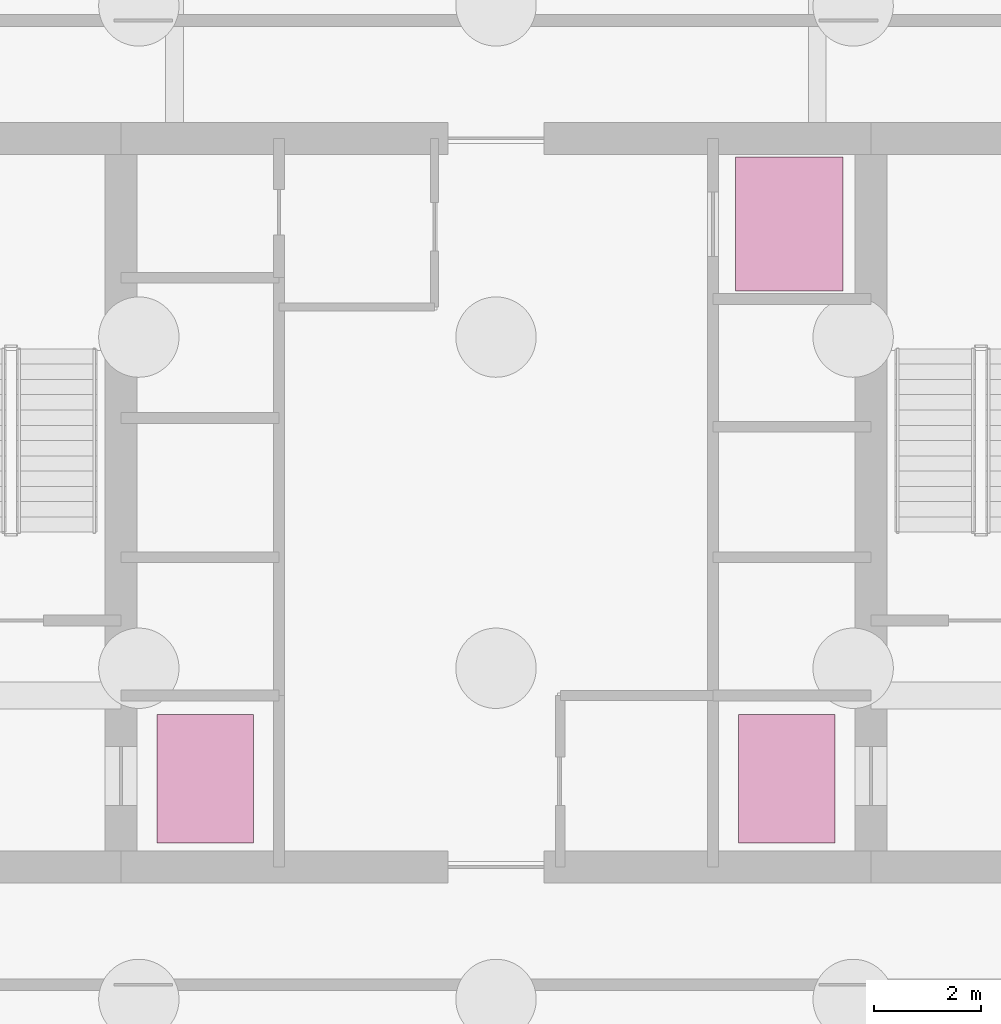
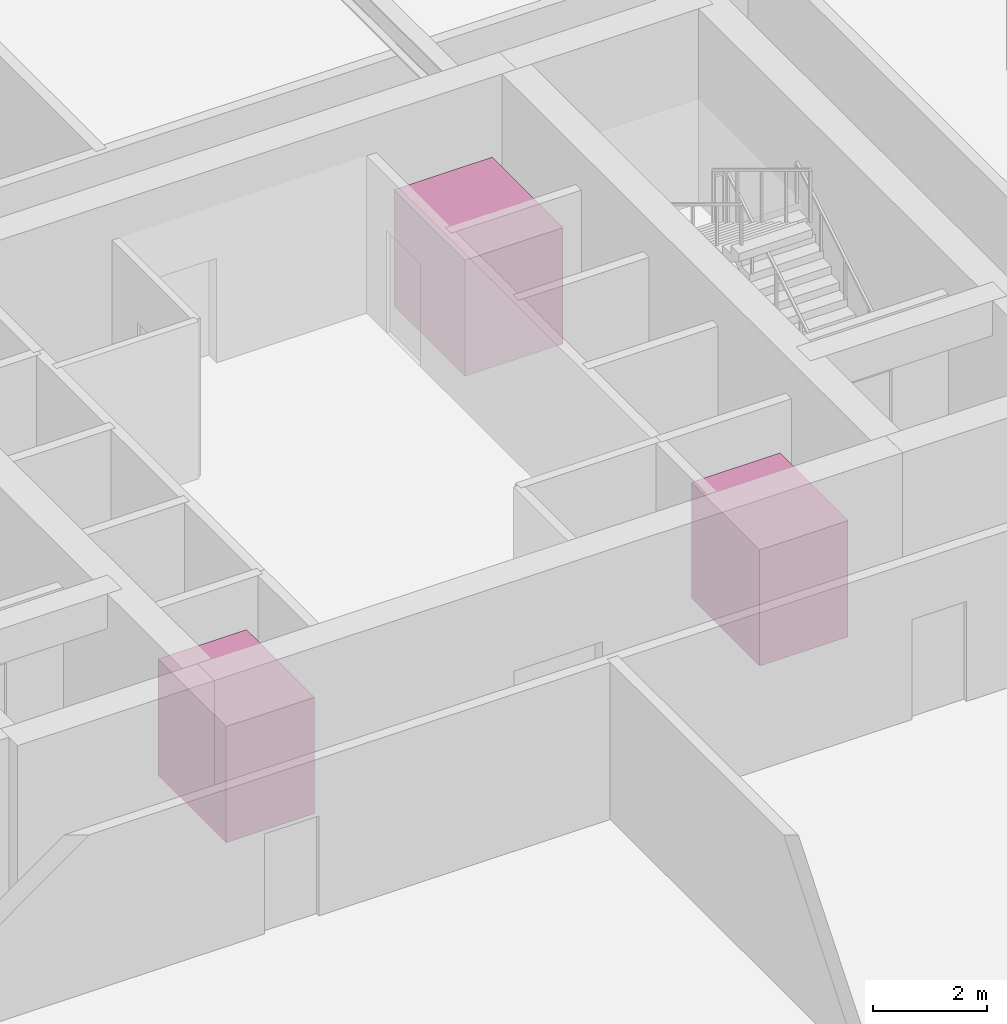
# One storey, part 8 of 8: 3 transport elements.
"""IFC4 building model written with IfcOpenShell, lengths in metres."""

import ifcopenshell
import ifcopenshell.guid

model = None  # the IFC model being written
_history = None  # IfcOwnerHistory: only IFC2X3 demands one
_inside = {}  # id of a spatial element -> (the spatial element, [elements in it])
_under = {}  # id of a project, library or spatial element -> (it, [spatial elements below it])
_declared = {}  # id of a project -> (the project, [libraries it declares])
_typed = {}  # id of a type object -> (the type object, [elements of that type])
_made_of = {}  # id of a material, layer set ... -> (it, [elements and type objects made of it])


def new_model(schema):
    """Start an empty IFC model of exactly this schema.

    Asked for "IFC4X3", IfcOpenShell would pick the latest addendum, in which some entities
    have other attributes; the version numbers below select the first issue.
    IFC2X3 requires an IfcOwnerHistory on every rooted entity: one is made here for all.
    """
    global model, _history
    if schema == "IFC4X3":
        model = ifcopenshell.file(schema_version=(4, 3, 0, 0))
    else:
        model = ifcopenshell.file(schema=schema)
    _inside.clear()
    _under.clear()
    _declared.clear()
    _typed.clear()
    _made_of.clear()
    _history = None
    if model.schema == "IFC2X3":
        org = make("IfcOrganization", Name="unknown")
        user = make(
            "IfcPersonAndOrganization",
            ThePerson=make("IfcPerson", FamilyName="unknown"),
            TheOrganization=org,
        )
        app = make(
            "IfcApplication",
            ApplicationDeveloper=org,
            Version="unknown",
            ApplicationFullName="unknown",
            ApplicationIdentifier="unknown",
        )
        _history = make(
            "IfcOwnerHistory",
            OwningUser=user,
            OwningApplication=app,
            ChangeAction="ADDED",
            CreationDate=0,
        )
    return model


def make(cls, **values):
    """One entity of the class cls with the attributes given. An attribute that is None is left unset."""
    return model.create_entity(
        cls, **{name: value for name, value in values.items() if value is not None}
    )


def rooted(cls, **values):
    """An entity with a GlobalId (a new one), such as an element, a storey or a relation."""
    return make(cls, GlobalId=ifcopenshell.guid.new(), OwnerHistory=_history, **values)


def si_unit(unit_type, name, prefix=None):
    """IfcSIUnit, for example si_unit("LENGTHUNIT", "METRE", prefix="MILLI")."""
    return make("IfcSIUnit", UnitType=unit_type, Prefix=prefix, Name=name)


def assignment(units):
    """IfcUnitAssignment: the units of a project."""
    return None if units is None else make("IfcUnitAssignment", Units=units)


def point(xyz):
    """IfcCartesianPoint."""
    return None if xyz is None else make("IfcCartesianPoint", Coordinates=xyz)


def direction(xyz):
    """IfcDirection."""
    return None if xyz is None else make("IfcDirection", DirectionRatios=xyz)


def frame(location, z_axis=None, x_axis=None):
    """IfcAxis2Placement3D, a coordinate frame: its origin and axes. An axis left out is left unset."""
    return make(
        "IfcAxis2Placement3D",
        Location=point(location),
        Axis=direction(z_axis),
        RefDirection=direction(x_axis),
    )


def frame_2d(location, x_axis=None):
    """IfcAxis2Placement2D, a coordinate frame in the plane: its origin and x axis."""
    return make(
        "IfcAxis2Placement2D", Location=point(location), RefDirection=direction(x_axis)
    )


def origin():
    """The frame at (0, 0, 0) with its axes left unset."""
    return frame((0.0, 0.0, 0.0))


def origin_2d():
    """The frame at (0, 0) in the plane with its x axis left unset."""
    return frame_2d((0.0, 0.0))


def place(relative_to, where):
    """IfcLocalPlacement: puts the frame where relative to a parent placement (None: the world)."""
    return make(
        "IfcLocalPlacement", PlacementRelTo=relative_to, RelativePlacement=where
    )


def context(
    kind, dimensions, precision=None, world=None, true_north=None, identifier=None
):
    """IfcGeometricRepresentationContext, for example the 3D "Model" context."""
    return make(
        "IfcGeometricRepresentationContext",
        ContextIdentifier=identifier,
        ContextType=kind,
        CoordinateSpaceDimension=dimensions,
        Precision=precision,
        WorldCoordinateSystem=world,
        TrueNorth=true_north,
    )


def subcontext(parent, identifier, kind, view, scale=None):
    """IfcGeometricRepresentationSubContext, for example "Body" below "Model"."""
    return make(
        "IfcGeometricRepresentationSubContext",
        ContextIdentifier=identifier,
        ContextType=kind,
        ParentContext=parent,
        TargetScale=scale,
        TargetView=view,
    )


def project(units=None, contexts=None):
    """IfcProject with its units and contexts."""
    return rooted(
        "IfcProject",
        Name="project",
        RepresentationContexts=contexts,
        UnitsInContext=assignment(units),
    )


def spatial(cls, under=None, at=None, **own):
    """A site, building, storey or space (cls), placed at a placement, below another one or the project."""
    s = rooted(cls, ObjectPlacement=at, **own)
    if under is not None:
        _under.setdefault(under.id(), (under, []))[1].append(s)
    return s


def profile(cls, at=None, kind="AREA", **sizes):
    """A parametric profile (cls). Its sizes go by their IFC names, for example OverallWidth=200.0."""
    return make(cls, ProfileType=kind, Position=at, **sizes)


def rectangle(**sizes):
    """IfcRectangleProfileDef."""
    return profile("IfcRectangleProfileDef", **sizes)


def extrude(swept, where, along, depth):
    """IfcExtrudedAreaSolid: the profile swept, set in the frame where, extruded along a direction by depth."""
    return make(
        "IfcExtrudedAreaSolid",
        SweptArea=swept,
        Position=where,
        ExtrudedDirection=direction(along),
        Depth=depth,
    )


def shape(context_of_items, identifier, shape_type, items):
    """IfcShapeRepresentation: the items that make up one representation, for example the "Body"."""
    return make(
        "IfcShapeRepresentation",
        ContextOfItems=context_of_items,
        RepresentationIdentifier=identifier,
        RepresentationType=shape_type,
        Items=items,
    )


def material(Name=None, Category=None):
    """IfcMaterial."""
    return make("IfcMaterial", Name=Name, Category=Category)


def made_of(thing, what):
    """Note that an element or type object is made of a material, layer set ...; save() writes the relation."""
    if what is not None:
        _made_of.setdefault(what.id(), (what, []))[1].append(thing)
    return thing


def type_object(cls, material=None, **own):
    """A type object (cls), such as IfcWallType, which elements share."""
    return made_of(rooted(cls, **own), material)


def element(
    cls,
    number,
    at=None,
    inside=None,
    cuts=None,
    type_object=None,
    material=None,
    context=None,
    identifier="Body",
    shape_type=None,
    held_by="IfcProductDefinitionShape",
    body=None,
    shapes=None,
    **own,
):
    """One element of the class cls, such as IfcWall. Its Tag is "e" and its number.

    at: its placement. inside: the storey or other place that contains it. cuts: it is an
    opening in that element (IfcRelVoidsElement). A single representation is given by context,
    identifier, shape_type and body (its items); several are given by shapes. held_by: the class
    of the entity that holds the representations. save() writes the other relations.
    """
    e = rooted(cls, Tag="e%d" % number, ObjectPlacement=at, **own)
    if body is not None:
        shapes = [shape(context, identifier, shape_type, body)]
    if shapes is not None:
        e.Representation = make(held_by, Representations=shapes)
    if inside is not None:
        _inside.setdefault(inside.id(), (inside, []))[1].append(e)
    if cuts is not None:
        rooted(
            "IfcRelVoidsElement", RelatingBuildingElement=cuts, RelatedOpeningElement=e
        )
    if type_object is not None:
        _typed.setdefault(type_object.id(), (type_object, []))[1].append(e)
    return made_of(e, material)


def aggregate(whole, parts):
    """IfcRelAggregates: a whole, such as a stair, and the parts it consists of."""
    return rooted("IfcRelAggregates", RelatingObject=whole, RelatedObjects=parts)


def save(model, path):
    """Write the relations noted so far, then the file.

    IfcRelAggregates (storeys below a building ...), IfcRelContainedInSpatialStructure (elements
    in a storey), IfcRelDefinesByType, IfcRelAssociatesMaterial and IfcRelDeclares: one each for
    every whole, place, type object, material and project.
    """
    for whole, parts in _under.values():
        aggregate(whole, parts)
    for where, things in _inside.values():
        rooted(
            "IfcRelContainedInSpatialStructure",
            RelatedElements=things,
            RelatingStructure=where,
        )
    for kind, things in _typed.values():
        rooted("IfcRelDefinesByType", RelatedObjects=things, RelatingType=kind)
    for what, things in _made_of.values():
        rooted("IfcRelAssociatesMaterial", RelatedObjects=things, RelatingMaterial=what)
    for by, libraries in _declared.values():
        rooted("IfcRelDeclares", RelatingContext=by, RelatedDefinitions=libraries)
    model.write(path)


model = new_model("IFC4")

# Units and contexts
model_context = context("Model", 3, precision=1e-05, world=origin(), true_north=direction((0.0, 1.0)))
body_context = subcontext(model_context, "Body", "Model", "MODEL_VIEW")
ifc_project = project(units=[si_unit("LENGTHUNIT", "METRE"), si_unit("AREAUNIT", "SQUARE_METRE"), si_unit("VOLUMEUNIT", "CUBIC_METRE"), si_unit("PLANEANGLEUNIT", "RADIAN"), si_unit("MASSUNIT", "GRAM", prefix="KILO")], contexts=[model_context])

# Site, building, storey
site_placement = place(None, origin())
site = spatial("IfcSite", under=ifc_project, at=site_placement, CompositionType="ELEMENT")
building_placement = place(site_placement, origin())
building = spatial("IfcBuilding", under=site, at=building_placement, Name="Sarneth Arch Tower", CompositionType="ELEMENT")
storey_placement = place(building_placement, frame((0.0, 0.0, -9.0)))
storey = spatial("IfcBuildingStorey", under=building, at=storey_placement, Name="B02", CompositionType="ELEMENT", Elevation=-9.0)

# Transport elements
ifc_material_1 = material(Name="Stainless Steel 304 pressurized firefighting lift car", Category="steel")
transport_element_type_1 = type_object("IfcTransportElementType", Name="LIFT-FF-1800", PredefinedType="ELEVATOR", material=ifc_material_1)
for number, where, z_axis, x_axis, name in (
    (1, (42.574951171875, 36.85009765625, 0.0), (0.0, 0.0, 1.0), (1.0, 0.0, 0.0), "Elevator FL-1"),
    (2, (53.425048828125, 36.85009765625, 0.0), (0.0, 0.0, 1.0), (1.0, 0.0, 0.0), "Elevator FL-2"),
):
    element("IfcTransportElement", number, at=place(storey_placement, frame(where, z_axis=z_axis, x_axis=x_axis)), inside=storey, type_object=transport_element_type_1, Name=name, PredefinedType="ELEVATOR", context=body_context, shape_type="SweptSolid", body=[
        extrude(rectangle(XDim=1.800048828125, YDim=2.39990234375, at=origin_2d()), origin(), (0.0, 0.0, 1.0), 2.5),
    ])
ifc_material_2 = material(Name="Heavy-duty Stainless Steel 304 service lift car", Category="steel")
transport_element_type_2 = type_object("IfcTransportElementType", Name="LIFT-SERV-2500", PredefinedType="ELEVATOR", material=ifc_material_2)
transport_element_placement = place(storey_placement, frame((53.47509765625, 47.199951171875, 0.0), z_axis=(0.0, 0.0, 1.0), x_axis=(1.0, 0.0, 0.0)))
element("IfcTransportElement", 3, at=transport_element_placement, inside=storey, type_object=transport_element_type_2, Name="Elevator SL-1", PredefinedType="ELEVATOR", context=body_context, shape_type="SweptSolid", body=[
    extrude(rectangle(XDim=2.0, YDim=2.5, at=origin_2d()), origin(), (0.0, 0.0, 1.0), 2.5),
])

save(model, "model.ifc")
